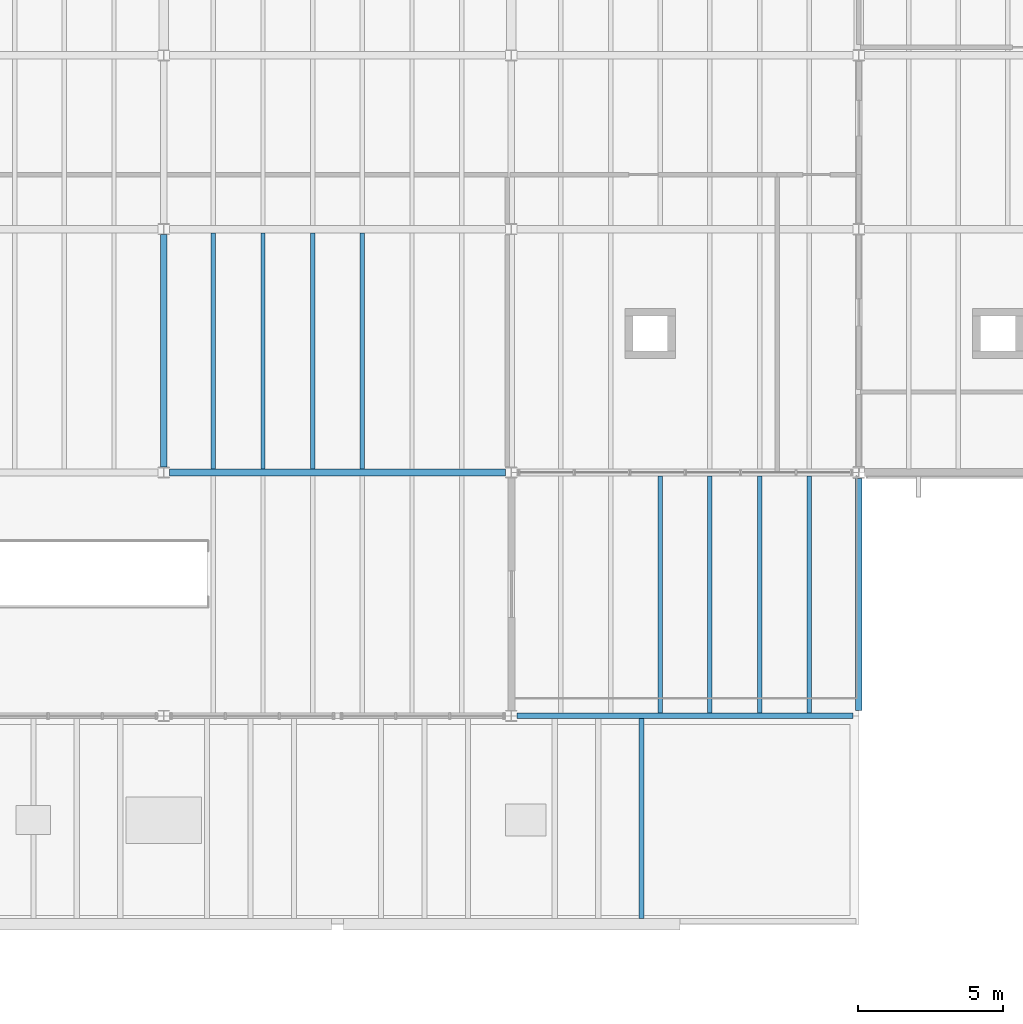
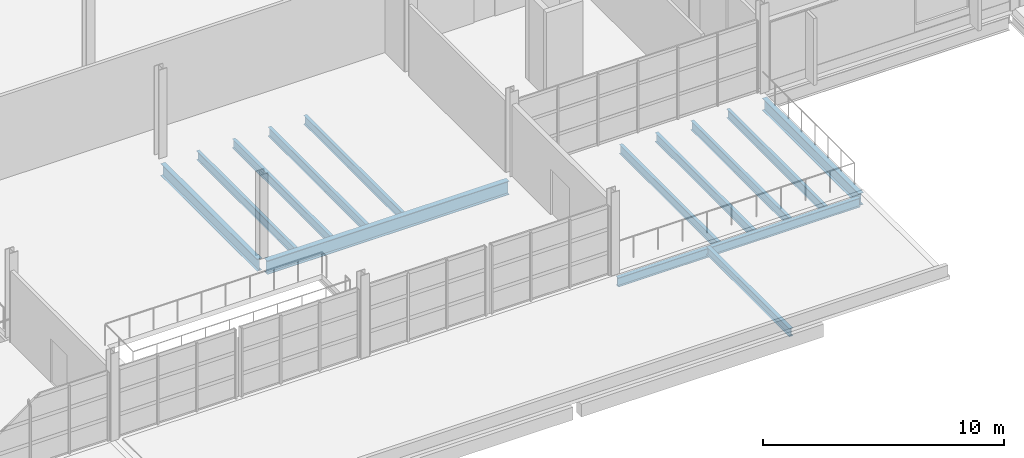
# One storey, part 37 of 114: 13 beams.
"""IFC4 building model written with IfcOpenShell, lengths in metres."""

from ifc_helpers import new_model, si_unit, direction, frame, origin, origin_2d, place, context, subcontext, project, spatial, i_section, extrude, material, material_profile, profile_set, type_object, element, save


model = new_model("IFC4")

# Units and contexts
model_context = context("Model", 3, precision=1e-05, world=origin(), true_north=direction((0.0, 1.0)))
body_context = subcontext(model_context, "Body", "Model", "MODEL_VIEW")
ifc_project = project(units=[si_unit("LENGTHUNIT", "METRE"), si_unit("AREAUNIT", "SQUARE_METRE"), si_unit("VOLUMEUNIT", "CUBIC_METRE"), si_unit("PLANEANGLEUNIT", "RADIAN"), si_unit("MASSUNIT", "GRAM", prefix="KILO")], contexts=[model_context])

# Site, building, storey
site_placement = place(None, origin())
site = spatial("IfcSite", under=ifc_project, at=site_placement, CompositionType="ELEMENT")
building_placement = place(site_placement, origin())
building = spatial("IfcBuilding", under=site, at=building_placement, Name="Kelmvaro Bay Concert Hall", CompositionType="ELEMENT")
storey_placement = place(building_placement, frame((0.0, 0.0, 4.800048828125)))
storey = spatial("IfcBuildingStorey", under=building, at=storey_placement, Name="L01", CompositionType="ELEMENT", Elevation=4.800048828125)

# Beams
ifc_material_1 = material(Name="Steel ASTM A992 Grade 50", Category="steel")
ifc_material_profile_1 = material_profile(ifc_material_1, i_section(OverallWidth=0.19189453125, OverallDepth=0.4619140625, WebThickness=0.010498046875, FlangeThickness=0.017578125, at=origin_2d()), Name="W18X60")
ifc_profile_set_1 = profile_set([ifc_material_profile_1], Name="Steel ASTM A992 Grade 50")
beam_type_1 = type_object("IfcBeamType", Name="Canopy Primary Frame Beam W18x60", PredefinedType="BEAM", material=ifc_profile_set_1)
beam_1_placement = place(storey_placement, frame((108.197998046875, 7.199951171875, -0.470947265625), z_axis=(1.0, 0.0, 0.0), x_axis=(0.0, 1.0, 0.0)))
element("IfcBeam", 1, at=beam_1_placement, inside=storey, type_object=beam_type_1, Name="L01 Girder BM-L01-EW-0015", PredefinedType="BEAM", context=body_context, shape_type="SweptSolid", body=[
    extrude(i_section(OverallWidth=0.19189453125, OverallDepth=0.4619140625, WebThickness=0.010498046875, FlangeThickness=0.017578125, at=origin_2d()), origin(), (0.0, 0.0, 1.0), 11.60400390625),
])
ifc_material_2 = material(Name="Steel ASTM A992 Grade 50", Category="steel")
ifc_material_profile_2 = material_profile(ifc_material_2, i_section(OverallWidth=0.177978515625, OverallDepth=0.404052734375, WebThickness=0.007568359375, FlangeThickness=0.010986328125, at=origin_2d()), Name="W16X36")
ifc_profile_set_2 = profile_set([ifc_material_profile_2], Name="Steel ASTM A992 Grade 50")
beam_type_2 = type_object("IfcBeamType", Name="Canopy Roof Joist W16x36", PredefinedType="JOIST", material=ifc_profile_set_2)
beam_2_placement = place(storey_placement, frame((112.5, 0.199951171875, -0.31201171875), z_axis=(0.0, 1.0, 0.0), x_axis=(-1.0, 0.0, 0.0)))
element("IfcBeam", 2, at=beam_2_placement, inside=storey, type_object=beam_type_2, Name="L01 Floor Joist JST-L01-0263", PredefinedType="JOIST", context=body_context, shape_type="SweptSolid", body=[
    extrude(i_section(OverallWidth=0.177978515625, OverallDepth=0.404052734375, WebThickness=0.007568359375, FlangeThickness=0.010986328125, at=origin_2d()), origin(), (0.0, 0.0, 1.0), 6.904052734375),
])
ifc_material_3 = material(Name="Steel ASTM A992 Grade 50", Category="steel")
ifc_material_profile_3 = material_profile(ifc_material_3, i_section(OverallWidth=0.152099609375, OverallDepth=0.455078125, WebThickness=0.008056640625, FlangeThickness=0.01318359375, at=origin_2d()), Name="W18X40")
ifc_profile_set_3 = profile_set([ifc_material_profile_3], Name="Steel ASTM A992 Grade 50")
beam_type_3 = type_object("IfcBeamType", Name="Foyer Concourse Floor Joist W18x40", PredefinedType="JOIST", material=ifc_profile_set_3)
for number, where, z_axis, x_axis, name in (
    (3, (113.142822265625, 7.2958984375, -0.467529296875), (0.0, 1.0, 0.0), (-1.0, 0.0, 0.0), "L01 Floor Joist JST-L01-0276"),
    (4, (114.857177734375, 7.2958984375, -0.467529296875), (0.0, 1.0, 0.0), (-1.0, 0.0, 0.0), "L01 Floor Joist JST-L01-0277"),
    (5, (116.5712890625, 7.2958984375, -0.467529296875), (0.0, 1.0, 0.0), (-1.0, 0.0, 0.0), "L01 Floor Joist JST-L01-0278"),
    (6, (118.28564453125, 7.2958984375, -0.467529296875), (0.0, 1.0, 0.0), (-1.0, 0.0, 0.0), "L01 Floor Joist JST-L01-0279"),
):
    element("IfcBeam", number, at=place(storey_placement, frame(where, z_axis=z_axis, x_axis=x_axis)), inside=storey, type_object=beam_type_3, Name=name, PredefinedType="JOIST", context=body_context, shape_type="SweptSolid", body=[
        extrude(i_section(OverallWidth=0.152099609375, OverallDepth=0.455078125, WebThickness=0.008056640625, FlangeThickness=0.01318359375, at=origin_2d()), origin(), (0.0, 0.0, 1.0), 8.176025390625),
    ])
for number, where, z_axis, x_axis, name in (
    (7, (97.71435546875, 15.72802734375, -0.4775390625), (0.0, 1.0, 0.0), (-1.0, 0.0, 0.0), "L01 Floor Joist JST-L01-0301"),
    (8, (99.4287109375, 15.72802734375, -0.4775390625), (0.0, 1.0, 0.0), (-1.0, 0.0, 0.0), "L01 Floor Joist JST-L01-0302"),
    (9, (101.142822265625, 15.72802734375, -0.4775390625), (0.0, 1.0, 0.0), (-1.0, 0.0, 0.0), "L01 Floor Joist JST-L01-0303"),
    (10, (102.857177734375, 15.72802734375, -0.4775390625), (0.0, 1.0, 0.0), (-1.0, 0.0, 0.0), "L01 Floor Joist JST-L01-0304"),
):
    element("IfcBeam", number, at=place(storey_placement, frame(where, z_axis=z_axis, x_axis=x_axis)), inside=storey, type_object=beam_type_3, Name=name, PredefinedType="JOIST", context=body_context, shape_type="SweptSolid", body=[
        extrude(i_section(OverallWidth=0.152099609375, OverallDepth=0.455078125, WebThickness=0.008056640625, FlangeThickness=0.01318359375, at=origin_2d()), origin(), (0.0, 0.0, 1.0), 8.14404296875),
    ])
ifc_material_4 = material(Name="Steel ASTM A992 Grade 50", Category="steel")
ifc_material_profile_4 = material_profile(ifc_material_4, i_section(OverallWidth=0.256103515625, OverallDepth=0.693115234375, WebThickness=0.014404296875, FlangeThickness=0.023681640625, at=origin_2d()), Name="W27X114")
ifc_profile_set_4 = profile_set([ifc_material_profile_4], Name="Steel ASTM A992 Grade 50")
beam_type_4 = type_object("IfcBeamType", Name="Foyer Primary Girder W27x114", PredefinedType="BEAM", material=ifc_profile_set_4)
beam_3_placement = place(storey_placement, frame((96.197998046875, 15.60009765625, -0.596435546875), z_axis=(1.0, 0.0, 0.0), x_axis=(0.0, 1.0, 0.0)))
element("IfcBeam", 11, at=beam_3_placement, inside=storey, type_object=beam_type_4, Name="L01 Girder BM-L01-EW-0022", PredefinedType="BEAM", context=body_context, shape_type="SweptSolid", body=[
    extrude(i_section(OverallWidth=0.256103515625, OverallDepth=0.693115234375, WebThickness=0.014404296875, FlangeThickness=0.023681640625, at=origin_2d()), origin(), (0.0, 0.0, 1.0), 11.60400390625),
])
ifc_material_5 = material(Name="Steel ASTM A992 Grade 50", Category="steel")
ifc_material_profile_5 = material_profile(ifc_material_5, i_section(OverallWidth=0.22900390625, OverallDepth=0.612060546875, WebThickness=0.011962890625, FlangeThickness=0.01953125, at=origin_2d()), Name="W24X84")
ifc_profile_set_5 = profile_set([ifc_material_profile_5], Name="Steel ASTM A992 Grade 50")
beam_type_5 = type_object("IfcBeamType", Name="Terrace Edge Girder W24x84", PredefinedType="BEAM", material=ifc_profile_set_5)
beam_4_placement = place(storey_placement, frame((96.0, 15.79052734375, -0.55615234375), z_axis=(0.0, 1.0, 0.0), x_axis=(-1.0, 0.0, 0.0)))
element("IfcBeam", 12, at=beam_4_placement, inside=storey, type_object=beam_type_5, Name="L01 Girder BM-L01-NS-0172", PredefinedType="BEAM", context=body_context, shape_type="SweptSolid", body=[
    extrude(i_section(OverallWidth=0.22900390625, OverallDepth=0.612060546875, WebThickness=0.011962890625, FlangeThickness=0.01953125, at=origin_2d()), origin(), (0.0, 0.0, 1.0), 8.01904296875),
])
beam_5_placement = place(storey_placement, frame((120.0, 7.390380859375, -0.546142578125), z_axis=(0.0, 1.0, 0.0), x_axis=(-1.0, 0.0, 0.0)))
element("IfcBeam", 13, at=beam_5_placement, inside=storey, type_object=beam_type_5, Name="L01 Girder BM-L01-NS-0182", PredefinedType="BEAM", context=body_context, shape_type="SweptSolid", body=[
    extrude(i_section(OverallWidth=0.22900390625, OverallDepth=0.612060546875, WebThickness=0.011962890625, FlangeThickness=0.01953125, at=origin_2d()), origin(), (0.0, 0.0, 1.0), 8.010009765625),
])

save(model, "model.ifc")
